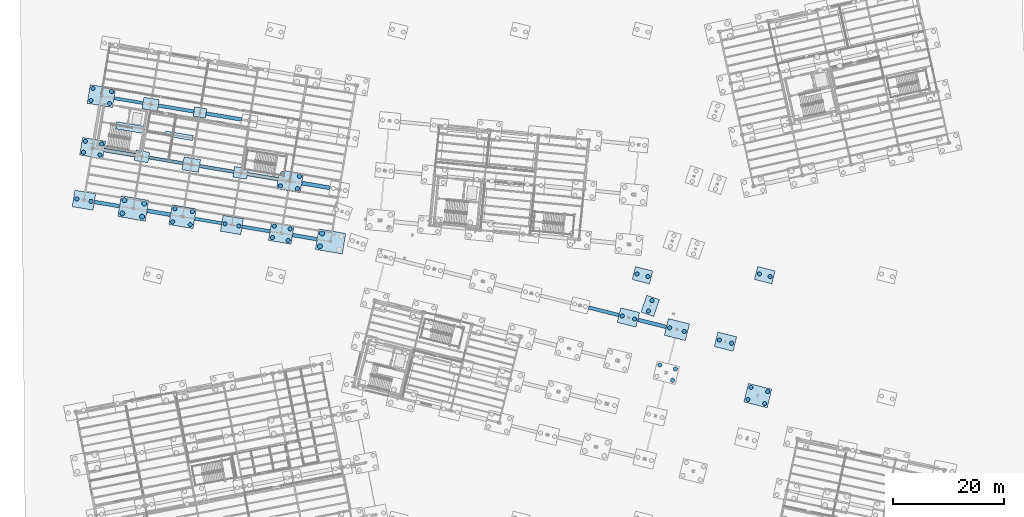
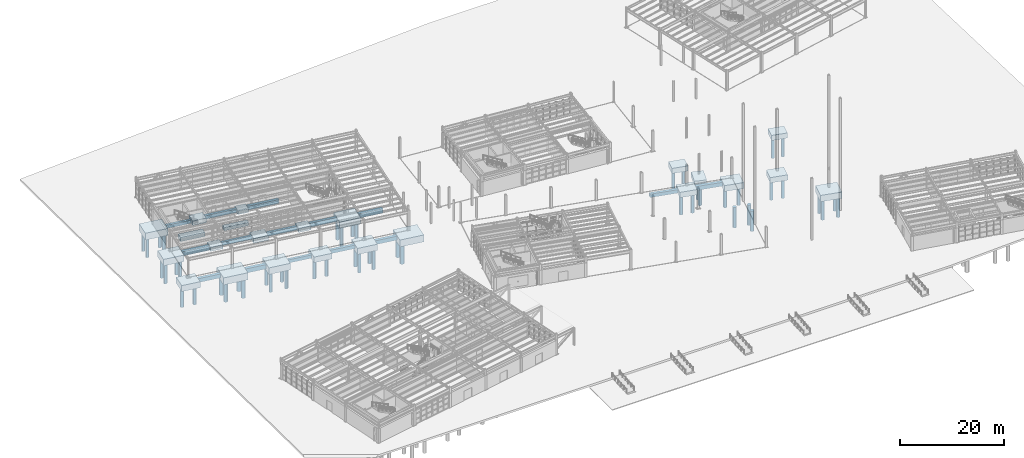
# One storey, part 4 of 108: 49 piles, 38 footings.
"""IFC4 building model written with IfcOpenShell, lengths in metres."""

from ifc_helpers import new_model, si_unit, direction, frame, origin, origin_2d, place, context, subcontext, project, spatial, rectangle, circle, extrude, material, material_profile, profile_set, type_object, element, save


model = new_model("IFC4")

# Units and contexts
model_context = context("Model", 3, precision=1e-05, world=origin(), true_north=direction((0.0, 1.0)))
body_context = subcontext(model_context, "Body", "Model", "MODEL_VIEW")
ifc_project = project(units=[si_unit("LENGTHUNIT", "METRE"), si_unit("AREAUNIT", "SQUARE_METRE"), si_unit("VOLUMEUNIT", "CUBIC_METRE"), si_unit("PLANEANGLEUNIT", "RADIAN"), si_unit("MASSUNIT", "GRAM", prefix="KILO")], contexts=[model_context])

# Site, building, storey
site_placement = place(None, origin())
site = spatial("IfcSite", under=ifc_project, at=site_placement, CompositionType="ELEMENT")
building_placement = place(site_placement, origin())
building = spatial("IfcBuilding", under=site, at=building_placement, Name="Vireo Bluff Cable Station", CompositionType="ELEMENT")
storey_placement = place(building_placement, origin())
storey = spatial("IfcBuildingStorey", under=building, at=storey_placement, Name="L00", CompositionType="ELEMENT", Elevation=0.0)

# Piles
ifc_material_1 = material(Name="Concrete f'c 45 MPa", Category="concrete")
ifc_material_profile_1 = material_profile(ifc_material_1, circle(Radius=0.375, at=origin_2d()), Name="BOREDPILE-750")
ifc_profile_set_1 = profile_set([ifc_material_profile_1], Name="Concrete f'c 45 MPa")
pile_type_1 = type_object("IfcPileType", Name="BOREDPILE-750", PredefinedType="BORED", material=ifc_profile_set_1)
for number, where, z_axis, x_axis, name in (
    (1, (102.3583984375, 50.677734375, -1.550048828125), (0.0, 0.0, -1.0), (1.0, 0.0, 0.0), "V1 rock-socketed bored pile 73"),
    (2, (104.580322265625, 50.12353515625, -1.550048828125), (0.0, 0.0, -1.0), (1.0, 0.0, 0.0), "V1 rock-socketed bored pile 74"),
):
    element("IfcPile", number, at=place(storey_placement, frame(where, z_axis=z_axis, x_axis=x_axis)), inside=storey, type_object=pile_type_1, Name=name, PredefinedType="BORED", context=body_context, shape_type="SweptSolid", body=[
        extrude(circle(Radius=0.375, at=origin_2d()), origin(), (0.0, 0.0, 1.0), 4.949951171875),
    ])
for number, where, z_axis, x_axis, name in (
    (3, (110.89697265625, 48.548583984375, -1.679931640625), (0.0, 0.0, -1.0), (1.0, 0.0, 0.0), "V1 rock-socketed bored pile 77"),
    (4, (113.507080078125, 47.89794921875, -1.679931640625), (0.0, 0.0, -1.0), (1.0, 0.0, 0.0), "V1 rock-socketed bored pile 78"),
):
    element("IfcPile", number, at=place(storey_placement, frame(where, z_axis=z_axis, x_axis=x_axis)), inside=storey, type_object=pile_type_1, Name=name, PredefinedType="BORED", context=body_context, shape_type="SweptSolid", body=[
        extrude(circle(Radius=0.375, at=origin_2d()), origin(), (0.0, 0.0, 1.0), 4.820068359375),
    ])
for number, where, z_axis, x_axis, name in (
    (5, (4.22265625, 71.713623046875, -1.780029296875), (0.0, 0.0, -1.0), (1.0, 0.0, 0.0), "V4 rock-socketed bored pile 201"),
    (6, (6.77734375, 71.286376953125, -1.780029296875), (0.0, 0.0, -1.0), (1.0, 0.0, 0.0), "V4 rock-socketed bored pile 202"),
):
    element("IfcPile", number, at=place(storey_placement, frame(where, z_axis=z_axis, x_axis=x_axis)), inside=storey, type_object=pile_type_1, Name=name, PredefinedType="BORED", context=body_context, shape_type="SweptSolid", body=[
        extrude(circle(Radius=0.375, at=origin_2d()), origin(), (0.0, 0.0, 1.0), 4.719970703125),
    ])
for number, where, z_axis, x_axis, name in (
    (7, (5.42919921875, 80.135009765625, -1.8798828125), (0.0, 0.0, -1.0), (1.0, 0.0, 0.0), "V4 rock-socketed bored pile 203"),
    (8, (8.378173828125, 79.6416015625, -1.8798828125), (0.0, 0.0, -1.0), (1.0, 0.0, 0.0), "V4 rock-socketed bored pile 204"),
    (9, (8.706787109375, 81.604248046875, -1.8798828125), (0.0, 0.0, -1.0), (1.0, 0.0, 0.0), "V4 rock-socketed bored pile 205"),
    (10, (5.757568359375, 82.097900390625, -1.8798828125), (0.0, 0.0, -1.0), (1.0, 0.0, 0.0), "V4 rock-socketed bored pile 206"),
):
    element("IfcPile", number, at=place(storey_placement, frame(where, z_axis=z_axis, x_axis=x_axis)), inside=storey, type_object=pile_type_1, Name=name, PredefinedType="BORED", context=body_context, shape_type="SweptSolid", body=[
        extrude(circle(Radius=0.375, at=origin_2d()), origin(), (0.0, 0.0, 1.0), 4.6201171875),
    ])
for number, where, z_axis, x_axis, name in (
    (11, (6.783447265625, 89.439208984375, -1.97998046875), (0.0, 0.0, -1.0), (1.0, 0.0, 0.0), "V4 rock-socketed bored pile 207"),
    (12, (10.126953125, 88.879638671875, -1.97998046875), (0.0, 0.0, -1.0), (1.0, 0.0, 0.0), "V4 rock-socketed bored pile 208"),
    (13, (10.48828125, 91.03955078125, -1.97998046875), (0.0, 0.0, -1.0), (1.0, 0.0, 0.0), "V4 rock-socketed bored pile 209"),
    (14, (7.144775390625, 91.59912109375, -1.97998046875), (0.0, 0.0, -1.0), (1.0, 0.0, 0.0), "V4 rock-socketed bored pile 210"),
):
    element("IfcPile", number, at=place(storey_placement, frame(where, z_axis=z_axis, x_axis=x_axis)), inside=storey, type_object=pile_type_1, Name=name, PredefinedType="BORED", context=body_context, shape_type="SweptSolid", body=[
        extrude(circle(Radius=0.375, at=origin_2d()), origin(), (0.0, 0.0, 1.0), 4.52001953125),
    ])
for number, where, z_axis, x_axis, name in (
    (15, (21.482666015625, 67.61376953125, -1.929931640625), (0.0, 0.0, -1.0), (1.0, 0.0, 0.0), "V4 rock-socketed bored pile 219"),
    (16, (24.629150390625, 67.08740234375, -1.929931640625), (0.0, 0.0, -1.0), (1.0, 0.0, 0.0), "V4 rock-socketed bored pile 220"),
    (17, (25.0234375, 69.444580078125, -1.929931640625), (0.0, 0.0, -1.0), (1.0, 0.0, 0.0), "V4 rock-socketed bored pile 221"),
    (18, (21.877197265625, 69.970947265625, -1.929931640625), (0.0, 0.0, -1.0), (1.0, 0.0, 0.0), "V4 rock-socketed bored pile 222"),
):
    element("IfcPile", number, at=place(storey_placement, frame(where, z_axis=z_axis, x_axis=x_axis)), inside=storey, type_object=pile_type_1, Name=name, PredefinedType="BORED", context=body_context, shape_type="SweptSolid", body=[
        extrude(circle(Radius=0.375, at=origin_2d()), origin(), (0.0, 0.0, 1.0), 4.570068359375),
    ])
for number, where, z_axis, x_axis, name in (
    (19, (30.90185546875, 67.249267578125, -1.699951171875), (0.0, 0.0, -1.0), (1.0, 0.0, 0.0), "V4 rock-socketed bored pile 225"),
    (20, (33.357666015625, 66.838134765625, -1.699951171875), (0.0, 0.0, -1.0), (1.0, 0.0, 0.0), "V4 rock-socketed bored pile 226"),
):
    element("IfcPile", number, at=place(storey_placement, frame(where, z_axis=z_axis, x_axis=x_axis)), inside=storey, type_object=pile_type_1, Name=name, PredefinedType="BORED", context=body_context, shape_type="SweptSolid", body=[
        extrude(circle(Radius=0.375, at=origin_2d()), origin(), (0.0, 0.0, 1.0), 4.800048828125),
    ])
for number, where, z_axis, x_axis, name in (
    (21, (39.40869140625, 64.76611328125, -1.820068359375), (0.0, 0.0, -1.0), (1.0, 0.0, 0.0), "V4 rock-socketed bored pile 229"),
    (22, (42.259033203125, 64.2890625, -1.820068359375), (0.0, 0.0, -1.0), (1.0, 0.0, 0.0), "V4 rock-socketed bored pile 230"),
    (23, (42.60400390625, 66.350341796875, -1.820068359375), (0.0, 0.0, -1.0), (1.0, 0.0, 0.0), "V4 rock-socketed bored pile 231"),
    (24, (39.753662109375, 66.827392578125, -1.820068359375), (0.0, 0.0, -1.0), (1.0, 0.0, 0.0), "V4 rock-socketed bored pile 232"),
):
    element("IfcPile", number, at=place(storey_placement, frame(where, z_axis=z_axis, x_axis=x_axis)), inside=storey, type_object=pile_type_1, Name=name, PredefinedType="BORED", context=body_context, shape_type="SweptSolid", body=[
        extrude(circle(Radius=0.375, at=origin_2d()), origin(), (0.0, 0.0, 1.0), 4.679931640625),
    ])
for number, where, z_axis, x_axis, name in (
    (25, (40.865478515625, 74.078369140625, -1.860107421875), (0.0, 0.0, -1.0), (1.0, 0.0, 0.0), "V4 rock-socketed bored pile 233"),
    (26, (43.9130859375, 73.568359375, -1.860107421875), (0.0, 0.0, -1.0), (1.0, 0.0, 0.0), "V4 rock-socketed bored pile 234"),
    (27, (44.282958984375, 75.777587890625, -1.860107421875), (0.0, 0.0, -1.0), (1.0, 0.0, 0.0), "V4 rock-socketed bored pile 235"),
    (28, (41.2353515625, 76.28759765625, -1.860107421875), (0.0, 0.0, -1.0), (1.0, 0.0, 0.0), "V4 rock-socketed bored pile 236"),
):
    element("IfcPile", number, at=place(storey_placement, frame(where, z_axis=z_axis, x_axis=x_axis)), inside=storey, type_object=pile_type_1, Name=name, PredefinedType="BORED", context=body_context, shape_type="SweptSolid", body=[
        extrude(circle(Radius=0.375, at=origin_2d()), origin(), (0.0, 0.0, 1.0), 4.639892578125),
    ])
for number, where, z_axis, x_axis, name in (
    (29, (119.82373046875, 46.322998046875, -1.580078125), (0.0, 0.0, -1.0), (1.0, 0.0, 0.0), "PORTAL rock-socketed bored pile 373"),
    (30, (122.045654296875, 45.76904296875, -1.580078125), (0.0, 0.0, -1.0), (1.0, 0.0, 0.0), "PORTAL rock-socketed bored pile 374"),
):
    element("IfcPile", number, at=place(storey_placement, frame(where, z_axis=z_axis, x_axis=x_axis)), inside=storey, type_object=pile_type_1, Name=name, PredefinedType="BORED", context=body_context, shape_type="SweptSolid", body=[
        extrude(circle(Radius=0.375, at=origin_2d()), origin(), (0.0, 0.0, 1.0), 4.919921875),
    ])
for number, where, z_axis, x_axis, name in (
    (31, (111.416015625, 39.097412109375, -1.739990234375), (0.0, 0.0, -1.0), (1.0, 0.0, 0.0), "PYLON rock-socketed bored pile 380"),
    (32, (111.921630859375, 41.125244140625, -1.739990234375), (0.0, 0.0, -1.0), (1.0, 0.0, 0.0), "PYLON rock-socketed bored pile 381"),
    (33, (109.117431640625, 41.824462890625, -1.739990234375), (0.0, 0.0, -1.0), (1.0, 0.0, 0.0), "PYLON rock-socketed bored pile 382"),
):
    element("IfcPile", number, at=place(storey_placement, frame(where, z_axis=z_axis, x_axis=x_axis)), inside=storey, type_object=pile_type_1, Name=name, PredefinedType="BORED", context=body_context, shape_type="SweptSolid", body=[
        extrude(circle(Radius=0.375, at=origin_2d()), origin(), (0.0, 0.0, 1.0), 4.760009765625),
    ])
for number, where, z_axis, x_axis, name in (
    (34, (124.99169921875, 35.63525390625, -1.81005859375), (0.0, 0.0, -1.0), (1.0, 0.0, 0.0), "PYLON rock-socketed bored pile 383"),
    (35, (127.989990234375, 34.8876953125, -1.81005859375), (0.0, 0.0, -1.0), (1.0, 0.0, 0.0), "PYLON rock-socketed bored pile 384"),
    (36, (128.53173828125, 37.061279296875, -1.81005859375), (0.0, 0.0, -1.0), (1.0, 0.0, 0.0), "PYLON rock-socketed bored pile 385"),
    (37, (125.53369140625, 37.808837890625, -1.81005859375), (0.0, 0.0, -1.0), (1.0, 0.0, 0.0), "PYLON rock-socketed bored pile 386"),
):
    element("IfcPile", number, at=place(storey_placement, frame(where, z_axis=z_axis, x_axis=x_axis)), inside=storey, type_object=pile_type_1, Name=name, PredefinedType="BORED", context=body_context, shape_type="SweptSolid", body=[
        extrude(circle(Radius=0.375, at=origin_2d()), origin(), (0.0, 0.0, 1.0), 4.68994140625),
    ])
for number, where, z_axis, x_axis, name in (
    (38, (105.03466796875, 58.24072265625, -1.530029296875), (0.0, 0.0, -1.0), (1.0, 0.0, 0.0), "PLAZA rock-socketed bored pile 403"),
    (39, (106.96533203125, 57.75927734375, -1.530029296875), (0.0, 0.0, -1.0), (1.0, 0.0, 0.0), "PLAZA rock-socketed bored pile 404"),
    (40, (127.03466796875, 58.24072265625, -1.530029296875), (0.0, 0.0, -1.0), (1.0, 0.0, 0.0), "PLAZA rock-socketed bored pile 407"),
    (41, (128.96533203125, 57.75927734375, -1.530029296875), (0.0, 0.0, -1.0), (1.0, 0.0, 0.0), "PLAZA rock-socketed bored pile 408"),
    (42, (107.08056640625, 51.549072265625, -1.530029296875), (0.0, 0.0, -1.0), (1.0, 0.0, 0.0), "HAUL-DRIVE rock-socketed bored pile 427"),
    (43, (107.718017578125, 53.434326171875, -1.530029296875), (0.0, 0.0, -1.0), (1.0, 0.0, 0.0), "HAUL-DRIVE rock-socketed bored pile 428"),
):
    element("IfcPile", number, at=place(storey_placement, frame(where, z_axis=z_axis, x_axis=x_axis)), inside=storey, type_object=pile_type_1, Name=name, PredefinedType="BORED", context=body_context, shape_type="SweptSolid", body=[
        extrude(circle(Radius=0.375, at=origin_2d()), origin(), (0.0, 0.0, 1.0), 4.969970703125),
    ])
ifc_material_profile_2 = material_profile(ifc_material_1, circle(Radius=0.449951171875, at=origin_2d()), Name="BOREDPILE-900")
ifc_profile_set_2 = profile_set([ifc_material_profile_2], Name="Concrete f'c 45 MPa")
pile_type_2 = type_object("IfcPileType", Name="BOREDPILE-900", PredefinedType="BORED", material=ifc_profile_set_2)
for number, where, z_axis, x_axis, name in (
    (44, (12.4033203125, 69.128173828125, -2.030029296875), (0.0, 0.0, -1.0), (1.0, 0.0, 0.0), "V4 rock-socketed bored pile 213"),
    (45, (15.953857421875, 68.533935546875, -2.030029296875), (0.0, 0.0, -1.0), (1.0, 0.0, 0.0), "V4 rock-socketed bored pile 214"),
    (46, (16.349853515625, 70.901123046875, -2.030029296875), (0.0, 0.0, -1.0), (1.0, 0.0, 0.0), "V4 rock-socketed bored pile 215"),
    (47, (12.79931640625, 71.4951171875, -2.030029296875), (0.0, 0.0, -1.0), (1.0, 0.0, 0.0), "V4 rock-socketed bored pile 216"),
):
    element("IfcPile", number, at=place(storey_placement, frame(where, z_axis=z_axis, x_axis=x_axis)), inside=storey, type_object=pile_type_2, Name=name, PredefinedType="BORED", context=body_context, shape_type="SweptSolid", body=[
        extrude(circle(Radius=0.449951171875, at=origin_2d()), origin(), (0.0, 0.0, 1.0), 4.469970703125),
    ])
for number, where, z_axis, x_axis, name in (
    (48, (47.962890625, 63.202880859375, -2.0), (0.0, 0.0, -1.0), (1.0, 0.0, 0.0), "V4 rock-socketed bored pile 245"),
    (49, (48.350830078125, 65.5205078125, -2.0), (0.0, 0.0, -1.0), (1.0, 0.0, 0.0), "V4 rock-socketed bored pile 248"),
):
    element("IfcPile", number, at=place(storey_placement, frame(where, z_axis=z_axis, x_axis=x_axis)), inside=storey, type_object=pile_type_2, Name=name, PredefinedType="BORED", context=body_context, shape_type="SweptSolid", body=[
        extrude(circle(Radius=0.449951171875, at=origin_2d()), origin(), (0.0, 0.0, 1.0), 4.5),
    ])

# Footings
ifc_material_2 = material(Name="Concrete f'c 40 MPa", Category="concrete")
ifc_material_profile_3 = material_profile(ifc_material_2, rectangle(XDim=0.550048828125, YDim=0.75, at=origin_2d()), Name="GRADEBM-550X750")
ifc_profile_set_3 = profile_set([ifc_material_profile_3], Name="Concrete f'c 40 MPa")
footing_type_1 = type_object("IfcFootingType", Name="GRADEBM-550X750", PredefinedType="FOOTING_BEAM", material=ifc_profile_set_3)
footing_1_placement = place(storey_placement, frame((25.46240234375, 68.159423828125, -1.125), z_axis=(0.986288037301, -0.165033049649, 0.0), x_axis=(0.165033049649, 0.986288037301, 0.0)))
element("IfcFooting", 50, at=footing_1_placement, inside=storey, type_object=footing_type_1, Name="V4 foundation grade beam 56", PredefinedType="FOOTING_BEAM", context=body_context, shape_type="SweptSolid", body=[
    extrude(rectangle(XDim=0.550048828125, YDim=0.75, at=origin_2d()), origin(), (0.0, 0.0, 1.0), 4.8701171875),
])
footing_2_placement = place(storey_placement, frame((17.216796875, 79.17138671875, -0.824951171875), z_axis=(0.986286772988, -0.165040605397, 0.0), x_axis=(0.165040605397, 0.986286772988, 0.0)))
element("IfcFooting", 51, at=footing_2_placement, inside=storey, type_object=footing_type_1, Name="V4 foundation grade beam 60", PredefinedType="FOOTING_BEAM", context=body_context, shape_type="SweptSolid", body=[
    extrude(rectangle(XDim=0.550048828125, YDim=0.75, at=origin_2d()), origin(), (0.0, 0.0, 1.0), 6.170166015625),
])
footing_3_placement = place(storey_placement, frame((10.94384765625, 89.853271484375, -1.14990234375), z_axis=(0.986284999617, -0.165051202753, 0.0), x_axis=(0.165051202753, 0.986284999617, 0.0)))
element("IfcFooting", 52, at=footing_3_placement, inside=storey, type_object=footing_type_1, Name="V4 foundation grade beam 64", PredefinedType="FOOTING_BEAM", context=body_context, shape_type="SweptSolid", body=[
    extrude(rectangle(XDim=0.550048828125, YDim=0.75, at=origin_2d()), origin(), (0.0, 0.0, 1.0), 5.219970703125),
])
ifc_material_profile_4 = material_profile(ifc_material_2, rectangle(XDim=0.60009765625, YDim=0.800048828125, at=origin_2d()), Name="GRADEBM-600X800")
ifc_profile_set_4 = profile_set([ifc_material_profile_4], Name="Concrete f'c 40 MPa")
footing_type_2 = type_object("IfcFootingType", Name="GRADEBM-600X800", PredefinedType="FOOTING_BEAM", material=ifc_profile_set_4)
footing_4_placement = place(storey_placement, frame((96.328125, 52.18115234375, -0.8701171875), z_axis=(0.970299574168, -0.241906462024, 0.0), x_axis=(0.241906462024, 0.970299574168, 0.0)))
element("IfcFooting", 53, at=footing_4_placement, inside=storey, type_object=footing_type_2, Name="V1 foundation grade beam 21", PredefinedType="FOOTING_BEAM", context=body_context, shape_type="SweptSolid", body=[
    extrude(rectangle(XDim=0.60009765625, YDim=0.800048828125, at=origin_2d()), origin(), (0.0, 0.0, 1.0), 5.570068359375),
])
footing_5_placement = place(storey_placement, frame((33.993896484375, 66.731689453125, -1.010009765625), z_axis=(0.98628988257, -0.16502202138, 0.0), x_axis=(0.16502202138, 0.98628988257, 0.0)))
element("IfcFooting", 54, at=footing_5_placement, inside=storey, type_object=footing_type_2, Name="V4 foundation grade beam 57", PredefinedType="FOOTING_BEAM", context=body_context, shape_type="SweptSolid", body=[
    extrude(rectangle(XDim=0.60009765625, YDim=0.800048828125, at=origin_2d()), origin(), (0.0, 0.0, 1.0), 5.019775390625),
])
footing_6_placement = place(storey_placement, frame((26.340087890625, 77.644775390625, -0.89990234375), z_axis=(0.986279253063, -0.165085538366, 0.0), x_axis=(0.165085538366, 0.986279253063, 0.0)))
element("IfcFooting", 55, at=footing_6_placement, inside=storey, type_object=footing_type_2, Name="V4 foundation grade beam 61", PredefinedType="FOOTING_BEAM", context=body_context, shape_type="SweptSolid", body=[
    extrude(rectangle(XDim=0.60009765625, YDim=0.800048828125, at=origin_2d()), origin(), (0.0, 0.0, 1.0), 6.169921875),
])
footing_7_placement = place(storey_placement, frame((18.9326171875, 88.516357421875, -0.875), z_axis=(0.986286826628, -0.165040284838, 0.0), x_axis=(0.165040284838, 0.986286826628, 0.0)))
element("IfcFooting", 56, at=footing_7_placement, inside=storey, type_object=footing_type_2, Name="V4 foundation grade beam 65", PredefinedType="FOOTING_BEAM", context=body_context, shape_type="SweptSolid", body=[
    extrude(rectangle(XDim=0.60009765625, YDim=0.800048828125, at=origin_2d()), origin(), (0.0, 0.0, 1.0), 6.420166015625),
])
ifc_material_profile_5 = material_profile(ifc_material_2, rectangle(XDim=0.64990234375, YDim=0.89990234375, at=origin_2d()), Name="GRADEBM-650X900")
ifc_profile_set_5 = profile_set([ifc_material_profile_5], Name="Concrete f'c 40 MPa")
footing_type_3 = type_object("IfcFootingType", Name="GRADEBM-650X900", PredefinedType="FOOTING_BEAM", material=ifc_profile_set_5)
footing_8_placement = place(storey_placement, frame((105.206298828125, 49.967529296875, -0.89501953125), z_axis=(0.970301860292, -0.241897292077, 0.0), x_axis=(0.241897292077, 0.970301860292, 0.0)))
element("IfcFooting", 57, at=footing_8_placement, inside=storey, type_object=footing_type_3, Name="V1 foundation grade beam 22", PredefinedType="FOOTING_BEAM", context=body_context, shape_type="SweptSolid", body=[
    extrude(rectangle(XDim=0.64990234375, YDim=0.89990234375, at=origin_2d()), origin(), (0.0, 0.0, 1.0), 5.219970703125),
])
footing_9_placement = place(storey_placement, frame((7.413330078125, 71.1796875, -1.050048828125), z_axis=(0.986291545051, -0.165012084892, 0.0), x_axis=(0.165012084892, 0.986291545051, 0.0)))
element("IfcFooting", 58, at=footing_9_placement, inside=storey, type_object=footing_type_3, Name="V4 foundation grade beam 54", PredefinedType="FOOTING_BEAM", context=body_context, shape_type="SweptSolid", body=[
    extrude(rectangle(XDim=0.64990234375, YDim=0.89990234375, at=origin_2d()), origin(), (0.0, 0.0, 1.0), 4.52001953125),
])
footing_10_placement = place(storey_placement, frame((43.067626953125, 65.21337890625, -1.070068359375), z_axis=(0.986286227586, -0.165043864697, 0.0), x_axis=(0.165043864697, 0.986286227586, 0.0)))
element("IfcFooting", 59, at=footing_10_placement, inside=storey, type_object=footing_type_3, Name="V4 foundation grade beam 58", PredefinedType="FOOTING_BEAM", context=body_context, shape_type="SweptSolid", body=[
    extrude(rectangle(XDim=0.64990234375, YDim=0.89990234375, at=origin_2d()), origin(), (0.0, 0.0, 1.0), 4.419921875),
])
footing_11_placement = place(storey_placement, frame((34.969970703125, 76.200439453125, -0.824951171875), z_axis=(0.986290930087, -0.165015760545, 0.0), x_axis=(0.165015760545, 0.986290930087, 0.0)))
element("IfcFooting", 60, at=footing_11_placement, inside=storey, type_object=footing_type_3, Name="V4 foundation grade beam 62", PredefinedType="FOOTING_BEAM", context=body_context, shape_type="SweptSolid", body=[
    extrude(rectangle(XDim=0.64990234375, YDim=0.89990234375, at=origin_2d()), origin(), (0.0, 0.0, 1.0), 5.52001953125),
])
footing_12_placement = place(storey_placement, frame((27.513427734375, 87.080322265625, -0.800048828125), z_axis=(0.986286826628, -0.165040284838, 0.0), x_axis=(0.165040284838, 0.986286826628, 0.0)))
element("IfcFooting", 61, at=footing_12_placement, inside=storey, type_object=footing_type_3, Name="V4 foundation grade beam 66", PredefinedType="FOOTING_BEAM", context=body_context, shape_type="SweptSolid", body=[
    extrude(rectangle(XDim=0.64990234375, YDim=0.89990234375, at=origin_2d()), origin(), (0.0, 0.0, 1.0), 6.420166015625),
])
ifc_material_profile_6 = material_profile(ifc_material_2, rectangle(XDim=0.699951171875, YDim=1.0, at=origin_2d()), Name="GRADEBM-700X1000")
ifc_profile_set_6 = profile_set([ifc_material_profile_6], Name="Concrete f'c 40 MPa")
footing_type_4 = type_object("IfcFootingType", Name="GRADEBM-700X1000", PredefinedType="FOOTING_BEAM", material=ifc_profile_set_6)
footing_13_placement = place(storey_placement, frame((16.8818359375, 69.595458984375, -1.175048828125), z_axis=(0.986284252899, -0.165055664801, 0.0), x_axis=(0.165055664801, 0.986284252899, 0.0)))
element("IfcFooting", 62, at=footing_13_placement, inside=storey, type_object=footing_type_4, Name="V4 foundation grade beam 55", PredefinedType="FOOTING_BEAM", context=body_context, shape_type="SweptSolid", body=[
    extrude(rectangle(XDim=0.699951171875, YDim=1.0, at=origin_2d()), origin(), (0.0, 0.0, 1.0), 4.219970703125),
])
footing_14_placement = place(storey_placement, frame((9.1787109375, 80.5166015625, -1.10009765625), z_axis=(0.986281149101, -0.165074210369, 0.0), x_axis=(0.165074210369, 0.986281149101, 0.0)))
element("IfcFooting", 63, at=footing_14_placement, inside=storey, type_object=footing_type_4, Name="V4 foundation grade beam 59", PredefinedType="FOOTING_BEAM", context=body_context, shape_type="SweptSolid", body=[
    extrude(rectangle(XDim=0.699951171875, YDim=1.0, at=origin_2d()), origin(), (0.0, 0.0, 1.0), 5.56982421875),
])
footing_15_placement = place(storey_placement, frame((44.734130859375, 74.566650390625, -1.090087890625), z_axis=(0.98628177068, -0.165070496528, 0.0), x_axis=(0.165070496528, 0.98628177068, 0.0)))
element("IfcFooting", 64, at=footing_15_placement, inside=storey, type_object=footing_type_4, Name="V4 foundation grade beam 63", PredefinedType="FOOTING_BEAM", context=body_context, shape_type="SweptSolid", body=[
    extrude(rectangle(XDim=0.699951171875, YDim=1.0, at=origin_2d()), origin(), (0.0, 0.0, 1.0), 5.070068359375),
])
footing_type_5 = type_object("IfcFootingType", Name="PADFTG-220X170X90", PredefinedType="PAD_FOOTING", material=ifc_material_2)
footing_16_placement = place(storey_placement, frame((26.38916015625, 87.2685546875, -1.39990234375), z_axis=(0.0, 0.0, 1.0), x_axis=(0.986285601537, -0.165047605861, 0.0)))
element("IfcFooting", 65, at=footing_16_placement, inside=storey, type_object=footing_type_5, Name="V4 interior rock-bench pad footing 4", PredefinedType="PAD_FOOTING", context=body_context, shape_type="SweptSolid", body=[
    extrude(rectangle(XDim=2.199951171875, YDim=1.699951171875, at=origin_2d()), origin(), (0.0, 0.0, 1.0), 0.89990234375),
])
footing_type_6 = type_object("IfcFootingType", Name="PADFTG-250X190X95", PredefinedType="PAD_FOOTING", material=ifc_material_2)
for number, where, z_axis, x_axis, name in (
    (66, (15.944580078125, 79.38427734375, -1.4501953125), (0.0, 0.0, 1.0), (0.986285601537, -0.165047605861, 0.0), "V4 interior rock-bench pad footing 1"),
    (67, (33.69775390625, 76.413330078125, -1.4501953125), (0.0, 0.0, 1.0), (0.986285601537, -0.165047605861, 0.0), "V4 interior rock-bench pad footing 5"),
):
    element("IfcFooting", number, at=place(storey_placement, frame(where, z_axis=z_axis, x_axis=x_axis)), inside=storey, type_object=footing_type_6, Name=name, PredefinedType="PAD_FOOTING", context=body_context, shape_type="SweptSolid", body=[
        extrude(rectangle(XDim=2.5, YDim=1.89990234375, at=origin_2d()), origin(), (0.0, 0.0, 1.0), 0.949951171875),
    ])
footing_type_7 = type_object("IfcFootingType", Name="PADFTG-280X210X105", PredefinedType="PAD_FOOTING", material=ifc_material_2)
footing_17_placement = place(storey_placement, frame((17.512451171875, 88.75390625, -1.5498046875), z_axis=(0.0, 0.0, 1.0), x_axis=(0.986285601537, -0.165047605861, 0.0)))
element("IfcFooting", 68, at=footing_17_placement, inside=storey, type_object=footing_type_7, Name="V4 interior rock-bench pad footing 2", PredefinedType="PAD_FOOTING", context=body_context, shape_type="SweptSolid", body=[
    extrude(rectangle(XDim=2.800048828125, YDim=2.10009765625, at=origin_2d()), origin(), (0.0, 0.0, 1.0), 1.050048828125),
])
footing_type_8 = type_object("IfcFootingType", Name="PADFTG-300X229X110", PredefinedType="PAD_FOOTING", material=ifc_material_2)
footing_18_placement = place(storey_placement, frame((24.821044921875, 77.89892578125, -1.60009765625), z_axis=(0.0, 0.0, 1.0), x_axis=(0.986285601537, -0.165047605861, 0.0)))
element("IfcFooting", 69, at=footing_18_placement, inside=storey, type_object=footing_type_8, Name="V4 interior rock-bench pad footing 3", PredefinedType="PAD_FOOTING", context=body_context, shape_type="SweptSolid", body=[
    extrude(rectangle(XDim=3.0, YDim=2.300048828125, at=origin_2d()), origin(), (0.0, 0.0, 1.0), 1.10009765625),
])
footing_type_9 = type_object("IfcFootingType", Name="PCAP-320X240X120", PredefinedType="PILE_CAP", material=ifc_material_2)
for number, where, z_axis, x_axis, name in (
    (70, (106.0, 58.0, -1.64990234375), (0.0, 0.0, 1.0), (0.970295726276, -0.2419218956, 0.0), "PLAZA pile cap 133"),
    (71, (128.0, 58.0, -1.64990234375), (0.0, 0.0, 1.0), (0.970295726276, -0.2419218956, 0.0), "PLAZA pile cap 135"),
    (72, (107.3994140625, 52.49169921875, -1.64990234375), (0.0, 0.0, 1.0), (0.32035190998, 0.947298608556, 0.0), "HAUL-DRIVE pile cap 143"),
):
    element("IfcFooting", number, at=place(storey_placement, frame(where, z_axis=z_axis, x_axis=x_axis)), inside=storey, type_object=footing_type_9, Name=name, PredefinedType="PILE_CAP", context=body_context, shape_type="SweptSolid", body=[
        extrude(rectangle(XDim=3.199951171875, YDim=2.39990234375, at=origin_2d()), origin(), (0.0, 0.0, 1.0), 1.199951171875),
    ])
footing_type_10 = type_object("IfcFootingType", Name="PCAP-350X270X125", PredefinedType="PILE_CAP", material=ifc_material_2)
for number, where, z_axis, x_axis, name in (
    (73, (103.469482421875, 50.400634765625, -1.669921875), (0.0, 0.0, 1.0), (0.970295726276, -0.2419218956, 0.0), "V1 pile cap 24"),
    (74, (120.934814453125, 46.0458984375, -1.699951171875), (0.0, 0.0, 1.0), (0.970295726276, -0.2419218956, 0.0), "PORTAL pile cap 120"),
):
    element("IfcFooting", number, at=place(storey_placement, frame(where, z_axis=z_axis, x_axis=x_axis)), inside=storey, type_object=footing_type_10, Name=name, PredefinedType="PILE_CAP", context=body_context, shape_type="SweptSolid", body=[
        extrude(rectangle(XDim=3.5, YDim=2.699951171875, at=origin_2d()), origin(), (0.0, 0.0, 1.0), 1.25),
    ])
footing_type_11 = type_object("IfcFootingType", Name="PCAP-370X290X132", PredefinedType="PILE_CAP", material=ifc_material_2)
footing_19_placement = place(storey_placement, frame((32.129638671875, 67.043701171875, -1.81982421875), z_axis=(0.0, 0.0, 1.0), x_axis=(0.986285601537, -0.165047605861, 0.0)))
element("IfcFooting", 75, at=footing_19_placement, inside=storey, type_object=footing_type_11, Name="V4 pile cap 73", PredefinedType="PILE_CAP", context=body_context, shape_type="SweptSolid", body=[
    extrude(rectangle(XDim=3.699951171875, YDim=2.89990234375, at=origin_2d()), origin(), (0.0, 0.0, 1.0), 1.320068359375),
])
footing_type_12 = type_object("IfcFootingType", Name="PCAP-380X300X140", PredefinedType="PILE_CAP", material=ifc_material_2)
footing_20_placement = place(storey_placement, frame((5.5, 71.5, -1.89990234375), z_axis=(0.0, 0.0, 1.0), x_axis=(0.986285601537, -0.165047605861, 0.0)))
element("IfcFooting", 76, at=footing_20_placement, inside=storey, type_object=footing_type_12, Name="V4 pile cap 65", PredefinedType="PILE_CAP", context=body_context, shape_type="SweptSolid", body=[
    extrude(rectangle(XDim=3.800048828125, YDim=3.0, at=origin_2d()), origin(), (0.0, 0.0, 1.0), 1.39990234375),
])
footing_type_13 = type_object("IfcFootingType", Name="PCAP-390X310X138", PredefinedType="PILE_CAP", material=ifc_material_2)
footing_21_placement = place(storey_placement, frame((112.2021484375, 48.223388671875, -1.800048828125), z_axis=(0.0, 0.0, 1.0), x_axis=(0.970295726276, -0.2419218956, 0.0)))
element("IfcFooting", 77, at=footing_21_placement, inside=storey, type_object=footing_type_13, Name="V1 pile cap 26", PredefinedType="PILE_CAP", context=body_context, shape_type="SweptSolid", body=[
    extrude(rectangle(XDim=3.89990234375, YDim=3.10009765625, at=origin_2d()), origin(), (0.0, 0.0, 1.0), 1.3798828125),
])
footing_type_14 = type_object("IfcFootingType", Name="PCAP-409X330X144", PredefinedType="PILE_CAP", material=ifc_material_2)
footing_22_placement = place(storey_placement, frame((41.00634765625, 65.558349609375, -1.93994140625), z_axis=(0.0, 0.0, 1.0), x_axis=(0.986285601537, -0.165047605861, 0.0)))
element("IfcFooting", 78, at=footing_22_placement, inside=storey, type_object=footing_type_14, Name="V4 pile cap 75", PredefinedType="PILE_CAP", context=body_context, shape_type="SweptSolid", body=[
    extrude(rectangle(XDim=4.10009765625, YDim=3.300048828125, at=origin_2d()), origin(), (0.0, 0.0, 1.0), 1.43994140625),
])
footing_type_15 = type_object("IfcFootingType", Name="PCAP-420X320X150", PredefinedType="PILE_CAP", material=ifc_material_2)
footing_23_placement = place(storey_placement, frame((7.06787109375, 80.86962890625, -2.0), z_axis=(0.0, 0.0, 1.0), x_axis=(0.986285601537, -0.165047605861, 0.0)))
element("IfcFooting", 79, at=footing_23_placement, inside=storey, type_object=footing_type_15, Name="V4 pile cap 66", PredefinedType="PILE_CAP", context=body_context, shape_type="SweptSolid", body=[
    extrude(rectangle(XDim=4.199951171875, YDim=3.199951171875, at=origin_2d()), origin(), (0.0, 0.0, 1.0), 1.5),
])
footing_type_16 = type_object("IfcFootingType", Name="PCAP-430X345X148", PredefinedType="PILE_CAP", material=ifc_material_2)
for number, where, z_axis, x_axis, name in (
    (80, (42.57421875, 74.927978515625, -1.97998046875), (0.0, 0.0, 1.0), (0.986285601537, -0.165047605861, 0.0), "V4 pile cap 76"),
    (81, (126.76171875, 36.348388671875, -1.929931640625), (0.0, 0.0, 1.0), (0.970295726276, -0.2419218956, 0.0), "PYLON pile cap 124"),
):
    element("IfcFooting", number, at=place(storey_placement, frame(where, z_axis=z_axis, x_axis=x_axis)), inside=storey, type_object=footing_type_16, Name=name, PredefinedType="PILE_CAP", context=body_context, shape_type="SweptSolid", body=[
        extrude(rectangle(XDim=4.300048828125, YDim=3.449951171875, at=origin_2d()), origin(), (0.0, 0.0, 1.0), 1.47998046875),
    ])
footing_type_17 = type_object("IfcFootingType", Name="PCAP-440X360X155", PredefinedType="PILE_CAP", material=ifc_material_2)
footing_24_placement = place(storey_placement, frame((23.253173828125, 68.529052734375, -2.0498046875), z_axis=(0.0, 0.0, 1.0), x_axis=(0.986285601537, -0.165047605861, 0.0)))
element("IfcFooting", 82, at=footing_24_placement, inside=storey, type_object=footing_type_17, Name="V4 pile cap 71", PredefinedType="PILE_CAP", context=body_context, shape_type="SweptSolid", body=[
    extrude(rectangle(XDim=4.39990234375, YDim=3.60009765625, at=origin_2d()), origin(), (0.0, 0.0, 1.0), 1.550048828125),
])
footing_type_18 = type_object("IfcFootingType", Name="PCAP-459X340X160", PredefinedType="PILE_CAP", material=ifc_material_2)
footing_25_placement = place(storey_placement, frame((8.635986328125, 90.239501953125, -2.10009765625), z_axis=(0.0, 0.0, 1.0), x_axis=(0.986285601537, -0.165047605861, 0.0)))
element("IfcFooting", 83, at=footing_25_placement, inside=storey, type_object=footing_type_18, Name="V4 pile cap 67", PredefinedType="PILE_CAP", context=body_context, shape_type="SweptSolid", body=[
    extrude(rectangle(XDim=4.60009765625, YDim=3.39990234375, at=origin_2d()), origin(), (0.0, 0.0, 1.0), 1.60009765625),
])
footing_type_19 = type_object("IfcFootingType", Name="PCAP-490X375X162", PredefinedType="PILE_CAP", material=ifc_material_2)
footing_26_placement = place(storey_placement, frame((49.8828125, 64.07275390625, -2.1201171875), z_axis=(0.0, 0.0, 1.0), x_axis=(0.986285601537, -0.165047605861, 0.0)))
element("IfcFooting", 84, at=footing_26_placement, inside=storey, type_object=footing_type_19, Name="V4 pile cap 79", PredefinedType="PILE_CAP", context=body_context, shape_type="SweptSolid", body=[
    extrude(rectangle(XDim=4.89990234375, YDim=3.75, at=origin_2d()), origin(), (0.0, 0.0, 1.0), 1.6201171875),
])
footing_type_20 = type_object("IfcFootingType", Name="PCAP-500X380X165", PredefinedType="PILE_CAP", material=ifc_material_2)
footing_27_placement = place(storey_placement, frame((14.37646484375, 70.0146484375, -2.14990234375), z_axis=(0.0, 0.0, 1.0), x_axis=(0.986285601537, -0.165047605861, 0.0)))
element("IfcFooting", 85, at=footing_27_placement, inside=storey, type_object=footing_type_20, Name="V4 pile cap 69", PredefinedType="PILE_CAP", context=body_context, shape_type="SweptSolid", body=[
    extrude(rectangle(XDim=5.0, YDim=3.800048828125, at=origin_2d()), origin(), (0.0, 0.0, 1.0), 1.64990234375),
])
ifc_material_profile_7 = material_profile(ifc_material_2, rectangle(XDim=1.300048828125, YDim=0.949951171875, at=origin_2d()), Name="STRIPFTG-1300X950")
ifc_profile_set_7 = profile_set([ifc_material_profile_7], Name="Concrete f'c 40 MPa")
footing_type_21 = type_object("IfcFootingType", Name="STRIPFTG-1300X950", PredefinedType="STRIP_FOOTING", material=ifc_profile_set_7)
footing_28_placement = place(storey_placement, frame((11.303955078125, 84.976806640625, -0.97509765625), z_axis=(0.986286820499, -0.165040321466, 0.0), x_axis=(0.165040321466, 0.986286820499, 0.0)))
element("IfcFooting", 86, at=footing_28_placement, inside=storey, type_object=footing_type_21, Name="V4 strip footing 3", PredefinedType="STRIP_FOOTING", context=body_context, shape_type="SweptSolid", body=[
    extrude(rectangle(XDim=1.300048828125, YDim=0.949951171875, at=origin_2d()), origin(), (0.0, 0.0, 1.0), 5.0),
])
ifc_material_profile_8 = material_profile(ifc_material_2, rectangle(XDim=0.89990234375, YDim=0.75, at=origin_2d()), Name="STRIPFTG-900X750")
ifc_profile_set_8 = profile_set([ifc_material_profile_8], Name="Concrete f'c 40 MPa")
footing_type_22 = type_object("IfcFootingType", Name="STRIPFTG-900X750", PredefinedType="STRIP_FOOTING", material=ifc_profile_set_8)
footing_29_placement = place(storey_placement, frame((20.180419921875, 83.491455078125, -0.875), z_axis=(0.986286820499, -0.165040321466, 0.0), x_axis=(0.165040321466, 0.986286820499, 0.0)))
element("IfcFooting", 87, at=footing_29_placement, inside=storey, type_object=footing_type_22, Name="V4 strip footing 4", PredefinedType="STRIP_FOOTING", context=body_context, shape_type="SweptSolid", body=[
    extrude(rectangle(XDim=0.89990234375, YDim=0.75, at=origin_2d()), origin(), (0.0, 0.0, 1.0), 5.0),
])

save(model, "model.ifc")
